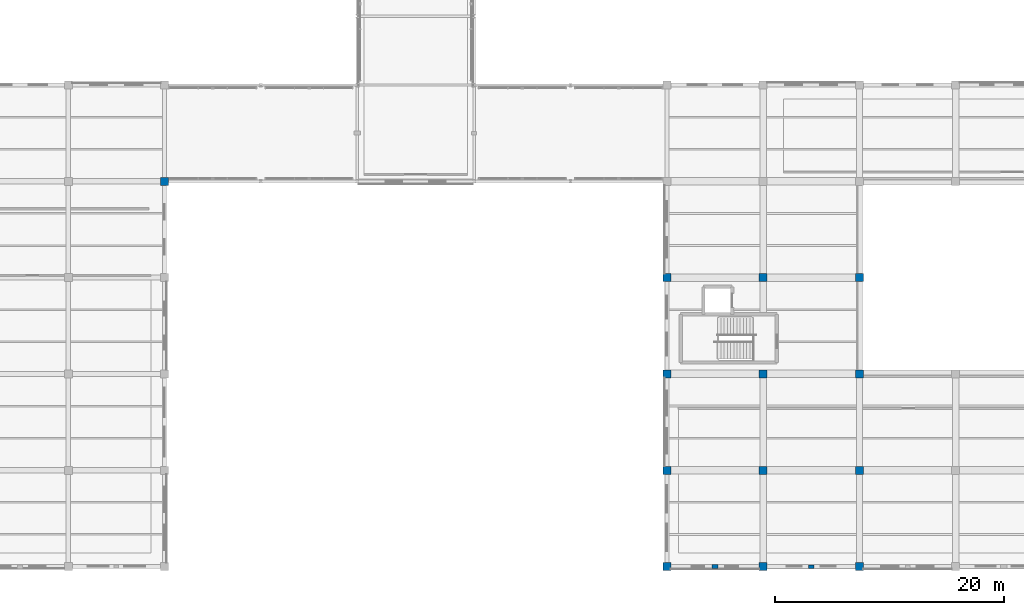
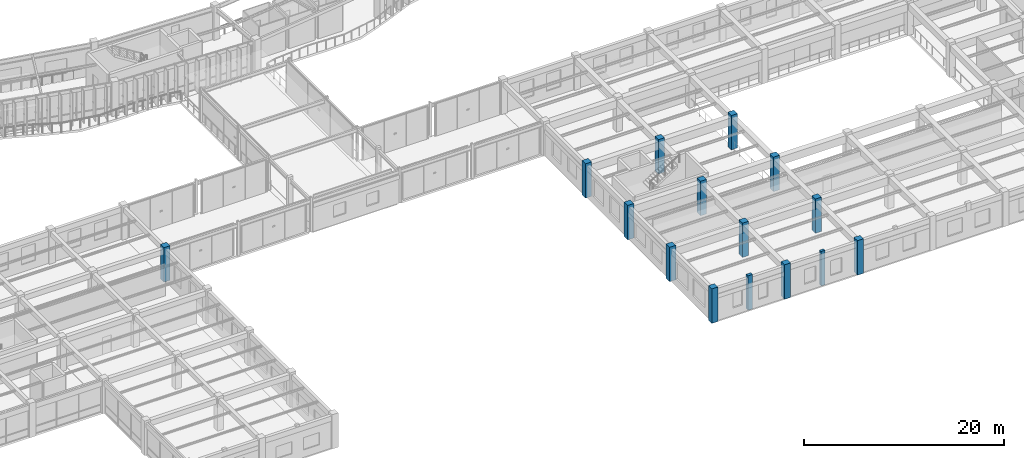
# One storey, part 2 of 152: 15 columns.
"""IFC4 building model written with IfcOpenShell, lengths in metres."""

from ifc_helpers import new_model, si_unit, direction, frame, origin, origin_2d, place, context, subcontext, project, spatial, rectangle, extrude, material, material_profile, profile_set, type_object, element, save


model = new_model("IFC4")

# Units and contexts
model_context = context("Model", 3, precision=1e-05, world=origin(), true_north=direction((0.0, 1.0)))
body_context = subcontext(model_context, "Body", "Model", "MODEL_VIEW")
ifc_project = project(units=[si_unit("LENGTHUNIT", "METRE"), si_unit("AREAUNIT", "SQUARE_METRE"), si_unit("VOLUMEUNIT", "CUBIC_METRE"), si_unit("PLANEANGLEUNIT", "RADIAN"), si_unit("MASSUNIT", "GRAM", prefix="KILO"), si_unit("THERMODYNAMICTEMPERATUREUNIT", "KELVIN"), si_unit("POWERUNIT", "WATT")], contexts=[model_context])

# Site, building, storey
site_placement = place(None, origin())
site = spatial("IfcSite", under=ifc_project, at=site_placement, CompositionType="ELEMENT")
building_placement = place(site_placement, origin())
building = spatial("IfcBuilding", under=site, at=building_placement, Name="Darbajah Civic Hall", CompositionType="ELEMENT")
storey_placement = place(building_placement, frame((0.0, 0.0, 5.39990234375)))
storey = spatial("IfcBuildingStorey", under=building, at=storey_placement, Name="L01", CompositionType="ELEMENT", Elevation=5.39990234375)

# Columns
ifc_material = material(Name="Concrete C45/55", Category="concrete")
ifc_material_profile_1 = material_profile(ifc_material, rectangle(XDim=0.449951171875, YDim=0.300048828125, at=origin_2d()), Name="PILASTER 450x300")
ifc_profile_set_1 = profile_set([ifc_material_profile_1], Name="Concrete C45/55")
column_type_1 = type_object("IfcColumnType", Name="PILASTER 450x300", PredefinedType="PILASTER", material=ifc_profile_set_1)
column_1_placement = place(storey_placement, frame((123.60009765625, 0.0, 0.0), z_axis=(0.0, 0.0, 1.0), x_axis=(1.0, 0.0, 0.0)))
element("IfcColumn", 1, at=column_1_placement, inside=storey, type_object=column_type_1, Name="L01 column PL-450", PredefinedType="PILASTER", context=body_context, shape_type="SweptSolid", body=[
    extrude(rectangle(XDim=0.449951171875, YDim=0.300048828125, at=origin_2d()), origin(), (0.0, 0.0, 1.0), 4.2001953125),
])
ifc_material_profile_2 = material_profile(ifc_material, rectangle(XDim=0.550048828125, YDim=0.35009765625, at=origin_2d()), Name="PILASTER 550x350")
ifc_profile_set_2 = profile_set([ifc_material_profile_2], Name="Concrete C45/55")
column_type_2 = type_object("IfcColumnType", Name="PILASTER 550x350", PredefinedType="PILASTER", material=ifc_profile_set_2)
column_2_placement = place(storey_placement, frame((115.199951171875, 0.0, 0.0), z_axis=(0.0, 0.0, 1.0), x_axis=(1.0, 0.0, 0.0)))
element("IfcColumn", 2, at=column_2_placement, inside=storey, type_object=column_type_2, Name="L01 column PL-550", PredefinedType="PILASTER", context=body_context, shape_type="SweptSolid", body=[
    extrude(rectangle(XDim=0.550048828125, YDim=0.35009765625, at=origin_2d()), origin(), (0.0, 0.0, 1.0), 4.2001953125),
])
ifc_material_profile_3 = material_profile(ifc_material, rectangle(XDim=0.699951171875, YDim=0.699951171875, at=origin_2d()), Name="RC COL 700x700")
ifc_profile_set_3 = profile_set([ifc_material_profile_3], Name="Concrete C45/55")
column_type_3 = type_object("IfcColumnType", Name="RC COL 700x700", PredefinedType="COLUMN", material=ifc_profile_set_3)
for number, where, z_axis, x_axis, name in (
    (3, (111.0, 0.0, 0.0), (0.0, 0.0, 1.0), (1.0, 0.0, 0.0), "L01 column C-RC700"),
    (4, (111.0, 8.39990234375, 0.0), (0.0, 0.0, 1.0), (1.0, 0.0, 0.0), "L01 column C-RC700"),
    (5, (111.0, 16.800048828125, 0.0), (0.0, 0.0, 1.0), (1.0, 0.0, 0.0), "L01 column C-RC700"),
    (6, (111.0, 25.199951171875, 0.0), (0.0, 0.0, 1.0), (1.0, 0.0, 0.0), "L01 column C-RC700"),
    (7, (119.39990234375, 0.0, 0.0), (0.0, 0.0, 1.0), (1.0, 0.0, 0.0), "L01 column C-RC700"),
    (8, (119.39990234375, 8.39990234375, 0.0), (0.0, 0.0, 1.0), (1.0, 0.0, 0.0), "L01 column C-RC700"),
    (9, (119.39990234375, 16.800048828125, 0.0), (0.0, 0.0, 1.0), (1.0, 0.0, 0.0), "L01 column C-RC700"),
    (10, (119.39990234375, 25.199951171875, 0.0), (0.0, 0.0, 1.0), (1.0, 0.0, 0.0), "L01 column C-RC700"),
    (11, (127.800048828125, 0.0, 0.0), (0.0, 0.0, 1.0), (1.0, 0.0, 0.0), "L01 column C-RC700"),
    (12, (127.800048828125, 8.39990234375, 0.0), (0.0, 0.0, 1.0), (1.0, 0.0, 0.0), "L01 column C-RC700"),
    (13, (127.800048828125, 16.800048828125, 0.0), (0.0, 0.0, 1.0), (1.0, 0.0, 0.0), "L01 column C-RC700"),
    (14, (127.800048828125, 25.199951171875, 0.0), (0.0, 0.0, 1.0), (1.0, 0.0, 0.0), "L01 column C-RC700"),
    (15, (67.199951171875, 33.60009765625, 0.0), (0.0, 0.0, 1.0), (1.0, 0.0, 0.0), "L01 column C-RC700"),
):
    element("IfcColumn", number, at=place(storey_placement, frame(where, z_axis=z_axis, x_axis=x_axis)), inside=storey, type_object=column_type_3, Name=name, PredefinedType="COLUMN", context=body_context, shape_type="SweptSolid", body=[
        extrude(rectangle(XDim=0.699951171875, YDim=0.699951171875, at=origin_2d()), origin(), (0.0, 0.0, 1.0), 4.2001953125),
    ])

save(model, "model.ifc")
